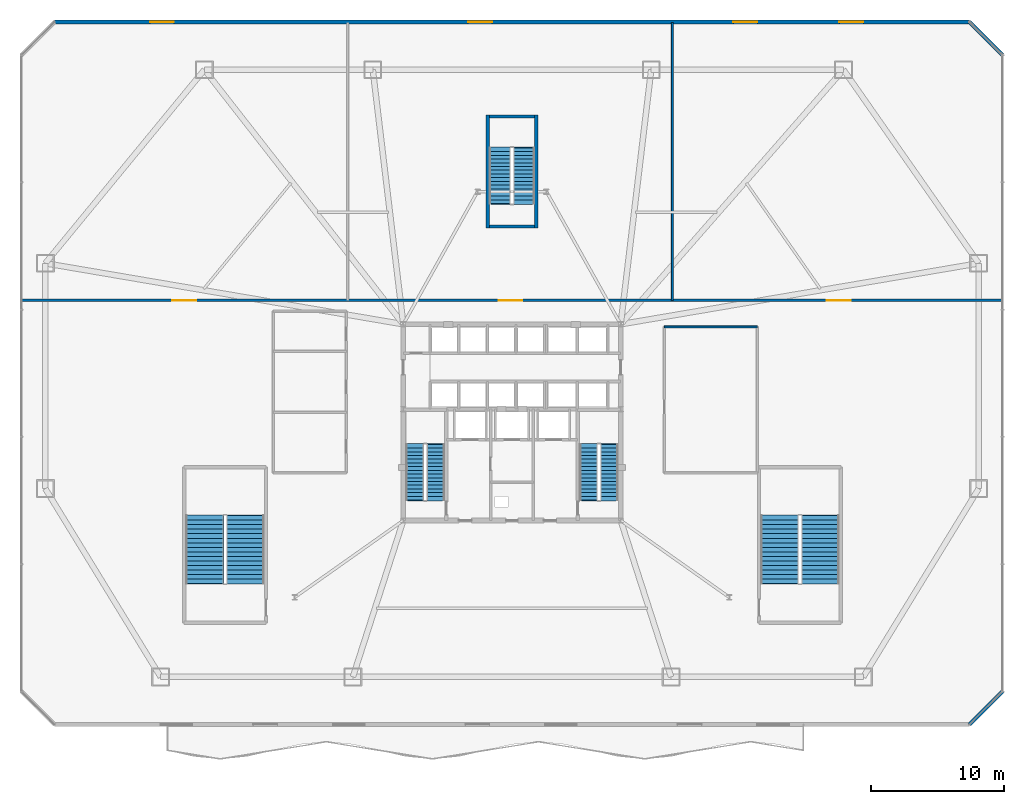
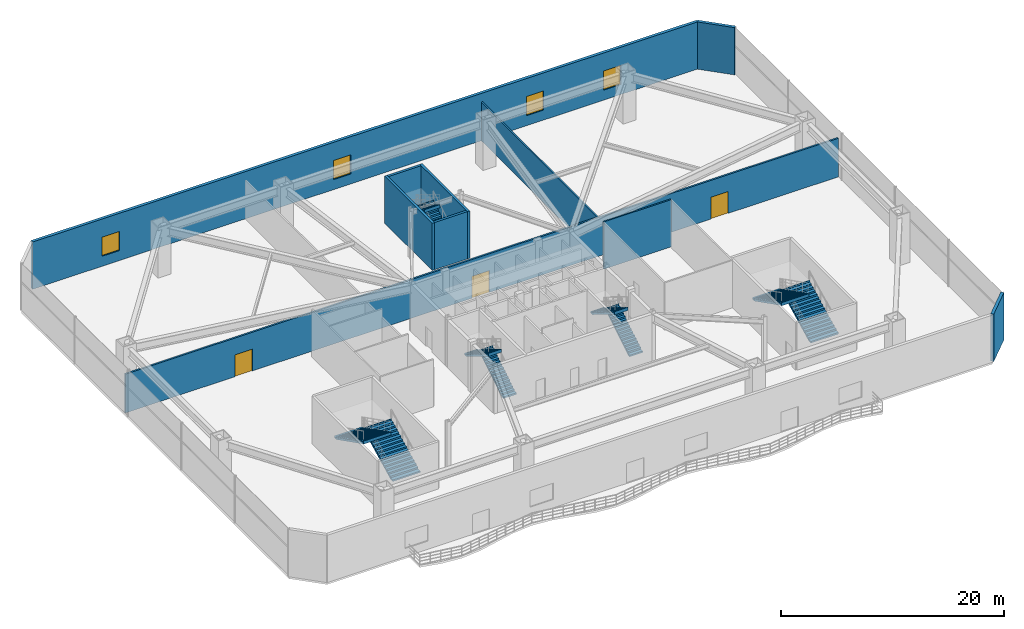
# One storey, part 15 of 20: 10 stair flights, 10 walls, 4 windows, 3 doors, 7 openings, 5 elements without a shape of their own.
"""IFC4 building model written with IfcOpenShell, lengths in metres."""

from ifc_helpers import new_model, si_unit, direction, frame, frame_2d, origin, place, context, subcontext, project, spatial, polyline, rectangle, outline, extrude, material, layer, layer_set, type_object, element, fill, aggregate, save


model = new_model("IFC4")

# Units and contexts
model_context = context("Model", 3, precision=1e-05, world=origin(), true_north=direction((0.0, 1.0)))
body_context = subcontext(model_context, "Body", "Model", "MODEL_VIEW")
ifc_project = project(units=[si_unit("LENGTHUNIT", "METRE"), si_unit("AREAUNIT", "SQUARE_METRE"), si_unit("VOLUMEUNIT", "CUBIC_METRE"), si_unit("PLANEANGLEUNIT", "RADIAN"), si_unit("MASSUNIT", "GRAM", prefix="KILO")], contexts=[model_context])

# Site, building, storey
site_placement = place(None, origin())
site = spatial("IfcSite", under=ifc_project, at=site_placement, CompositionType="ELEMENT")
building_placement = place(site_placement, origin())
building = spatial("IfcBuilding", under=site, at=building_placement, Name="Varakhsha Concourse Tower", CompositionType="ELEMENT")
storey_placement = place(building_placement, frame((0.0, 0.0, 11.0)))
storey = spatial("IfcBuildingStorey", under=building, at=storey_placement, Name="L03", CompositionType="ELEMENT", Elevation=11.0)

# Walls
ifc_material_1 = material(Name="Concrete fc 45 MPa", Category="concrete")
ifc_layer_1 = layer(ifc_material_1, 0.300048828125, Name="WL-EXT-POD-300")
ifc_layer_set_1 = layer_set([ifc_layer_1], Name="Concrete fc 45 MPa")
wall_type_1 = type_object("IfcWallType", Name="WL-EXT-POD-300", PredefinedType="STANDARD", material=ifc_layer_set_1)
for number, where, z_axis, x_axis, name in (
    (1, (74.5, 1.0, 0.0), (0.0, 0.0, 1.0), (0.707106781187, 0.707106781187, 0.0), "L03 Podium Chamfer Wall 1"),
    (2, (77.0, 51.5, 0.0), (0.0, 0.0, 1.0), (-0.707106781187, 0.707106781187, 0.0), "L03 Podium Chamfer Wall 3"),
):
    element("IfcWall", number, at=place(storey_placement, frame(where, z_axis=z_axis, x_axis=x_axis)), inside=storey, type_object=wall_type_1, Name=name, PredefinedType="STANDARD", context=body_context, shape_type="SweptSolid", body=[
        extrude(rectangle(XDim=3.53564453125, YDim=0.300048828125, at=frame_2d((1.767822265625, 0.0))), origin(), (0.0, 0.0, 1.0), 5.179931640625),
    ])

# Wall, openings, windows
wall_1_placement = place(storey_placement, frame((74.5, 54.0, 0.0), z_axis=(0.0, 0.0, 1.0), x_axis=(-1.0, 0.0, 0.0)))
wall_1 = element("IfcWall", 3, at=wall_1_placement, inside=storey, type_object=wall_type_1, Name="L03 North Convention Hall Wall", PredefinedType="STANDARD", context=body_context, shape_type="SweptSolid", body=[
    extrude(rectangle(XDim=69.0, YDim=0.300048828125, at=frame_2d((34.5, 0.0))), origin(), (0.0, 0.0, 1.0), 5.179931640625),
])
opening_1_placement = place(wall_1_placement, frame((8.0, 0.0, 1.10009765625)))
opening_1 = element("IfcOpeningElement", 4, at=opening_1_placement, cuts=wall_1, Name="Opening W-01", PredefinedType="OPENING", context=body_context, shape_type="SweptSolid", body=[
    extrude(rectangle(XDim=1.800048828125, YDim=2.10009765625, at=frame_2d((0.89990234375, 1.050048828125))), frame((0.0, 0.159912109375, 0.0), z_axis=(0.0, -1.0, 0.0), x_axis=(1.0, 0.0, 0.0)), (0.0, 0.0, 1.0), 0.320068359375),
])
opening_2_placement = place(wall_1_placement, frame((16.0, 0.0, 1.10009765625)))
opening_2 = element("IfcOpeningElement", 5, at=opening_2_placement, cuts=wall_1, Name="Opening W-01", PredefinedType="OPENING", context=body_context, shape_type="SweptSolid", body=[
    extrude(rectangle(XDim=1.800048828125, YDim=2.10009765625, at=frame_2d((0.89990234375, 1.050048828125))), frame((0.0, 0.159912109375, 0.0), z_axis=(0.0, -1.0, 0.0), x_axis=(1.0, 0.0, 0.0)), (0.0, 0.0, 1.0), 0.320068359375),
])
opening_3_placement = place(wall_1_placement, frame((36.0, 0.0, 1.10009765625)))
opening_3 = element("IfcOpeningElement", 6, at=opening_3_placement, cuts=wall_1, Name="Opening W-01", PredefinedType="OPENING", context=body_context, shape_type="SweptSolid", body=[
    extrude(rectangle(XDim=1.800048828125, YDim=2.10009765625, at=frame_2d((0.89990234375, 1.050048828125))), frame((0.0, 0.159912109375, 0.0), z_axis=(0.0, -1.0, 0.0), x_axis=(1.0, 0.0, 0.0)), (0.0, 0.0, 1.0), 0.320068359375),
])
opening_4_placement = place(wall_1_placement, frame((60.0, 0.0, 1.10009765625)))
opening_4 = element("IfcOpeningElement", 7, at=opening_4_placement, cuts=wall_1, Name="Opening W-01", PredefinedType="OPENING", context=body_context, shape_type="SweptSolid", body=[
    extrude(rectangle(XDim=1.800048828125, YDim=2.10009765625, at=frame_2d((0.89990234375, 1.050048828125))), frame((0.0, 0.159912109375, 0.0), z_axis=(0.0, -1.0, 0.0), x_axis=(1.0, 0.0, 0.0)), (0.0, 0.0, 1.0), 0.320068359375),
])
ifc_material_2 = material(Name="Low-E Triple Insulating Glass IGU 44 mm", Category="glass")
window_type = type_object("IfcWindowType", Name="WN-PUNCH-1800", PartitioningType="SINGLE_PANEL", PredefinedType="WINDOW", material=ifc_material_2)
window_1_placement = place(opening_1_placement, origin())
window_1 = element("IfcWindow", 8, at=window_1_placement, inside=storey, type_object=window_type, Name="L03 Hall Acoustic Window 1", OverallHeight=2.10009765625, OverallWidth=1.800048828125, PartitioningType="SINGLE_PANEL", PredefinedType="WINDOW", context=body_context, shape_type="SweptSolid", body=[
    extrude(rectangle(XDim=1.800048828125, YDim=2.10009765625, at=frame_2d((0.89990234375, 1.050048828125))), frame((0.0, 0.030029296875, 0.0), z_axis=(0.0, -1.0, 0.0), x_axis=(1.0, 0.0, 0.0)), (0.0, 0.0, 1.0), 0.06005859375),
])
fill(opening_1, window_1)
window_2_placement = place(opening_2_placement, origin())
window_2 = element("IfcWindow", 9, at=window_2_placement, inside=storey, type_object=window_type, Name="L03 Hall Acoustic Window 2", OverallHeight=2.10009765625, OverallWidth=1.800048828125, PartitioningType="SINGLE_PANEL", PredefinedType="WINDOW", context=body_context, shape_type="SweptSolid", body=[
    extrude(rectangle(XDim=1.800048828125, YDim=2.10009765625, at=frame_2d((0.89990234375, 1.050048828125))), frame((0.0, 0.030029296875, 0.0), z_axis=(0.0, -1.0, 0.0), x_axis=(1.0, 0.0, 0.0)), (0.0, 0.0, 1.0), 0.06005859375),
])
fill(opening_2, window_2)
window_3_placement = place(opening_3_placement, origin())
window_3 = element("IfcWindow", 10, at=window_3_placement, inside=storey, type_object=window_type, Name="L03 Hall Acoustic Window 3", OverallHeight=2.10009765625, OverallWidth=1.800048828125, PartitioningType="SINGLE_PANEL", PredefinedType="WINDOW", context=body_context, shape_type="SweptSolid", body=[
    extrude(rectangle(XDim=1.800048828125, YDim=2.10009765625, at=frame_2d((0.89990234375, 1.050048828125))), frame((0.0, 0.030029296875, 0.0), z_axis=(0.0, -1.0, 0.0), x_axis=(1.0, 0.0, 0.0)), (0.0, 0.0, 1.0), 0.06005859375),
])
fill(opening_3, window_3)
window_4_placement = place(opening_4_placement, origin())
window_4 = element("IfcWindow", 11, at=window_4_placement, inside=storey, type_object=window_type, Name="L03 Hall Acoustic Window 4", OverallHeight=2.10009765625, OverallWidth=1.800048828125, PartitioningType="SINGLE_PANEL", PredefinedType="WINDOW", context=body_context, shape_type="SweptSolid", body=[
    extrude(rectangle(XDim=1.800048828125, YDim=2.10009765625, at=frame_2d((0.89990234375, 1.050048828125))), frame((0.0, 0.030029296875, 0.0), z_axis=(0.0, -1.0, 0.0), x_axis=(1.0, 0.0, 0.0)), (0.0, 0.0, 1.0), 0.06005859375),
])
fill(opening_4, window_4)

# Walls
ifc_material_3 = material(Name="Cold-Formed Steel ASTM A653 Grade 50 Acoustic Operable Partition", Category="steel")
ifc_layer_2 = layer(ifc_material_3, 0.14990234375, Name="WL-MOVABLE-150")
ifc_layer_set_2 = layer_set([ifc_layer_2], Name="Cold-Formed Steel ASTM A653 Grade 50 Acoustic Operable Partition")
wall_type_2 = type_object("IfcWallType", Name="WL-MOVABLE-150", PredefinedType="MOVABLE", material=ifc_layer_set_2)
wall_2_placement = place(storey_placement, frame((52.10009765625, 33.0, 0.0), z_axis=(0.0, 0.0, 1.0), x_axis=(0.0, 1.0, 0.0)))
element("IfcWall", 12, at=wall_2_placement, inside=storey, type_object=wall_type_2, Name="L03 Wall L03W-MOV-2", PredefinedType="MOVABLE", context=body_context, shape_type="SweptSolid", body=[
    extrude(rectangle(XDim=20.9599609375, YDim=0.14990234375, at=frame_2d((10.47998046875, 0.0))), origin(), (0.0, 0.0, 1.0), 4.242919921875),
])
ifc_material_4 = material(Name="Fire-Rated Type X Gypsum Partition Assembly", Category="gypsum")
ifc_layer_3 = layer(ifc_material_4, 0.14990234375, Name="WL-PART-150")
ifc_layer_set_3 = layer_set([ifc_layer_3], Name="Fire-Rated Type X Gypsum Partition Assembly")
wall_type_3 = type_object("IfcWallType", Name="WL-PART-150", PredefinedType="PARTITIONING", material=ifc_layer_set_3)
wall_3_placement = place(storey_placement, frame((51.5, 31.0, 0.0), z_axis=(0.0, 0.0, 1.0), x_axis=(1.0, 0.0, 0.0)))
element("IfcWall", 13, at=wall_3_placement, inside=storey, type_object=wall_type_3, Name="L03 Wall L03W-SUPN", PredefinedType="PARTITIONING", context=body_context, shape_type="SweptSolid", body=[
    extrude(rectangle(XDim=7.0, YDim=0.14990234375, at=frame_2d((3.5, 0.0))), origin(), (0.0, 0.0, 1.0), 5.179931640625),
])

# Wall, openings, doors
ifc_layer_4 = layer(ifc_material_4, 0.179931640625, Name="WL-PART-180")
ifc_layer_set_4 = layer_set([ifc_layer_4], Name="Fire-Rated Type X Gypsum Partition Assembly")
wall_type_4 = type_object("IfcWallType", Name="WL-PART-180", PredefinedType="PARTITIONING", material=ifc_layer_set_4)
wall_4_placement = place(storey_placement, frame((3.0400390625, 33.0, 0.0), z_axis=(0.0, 0.0, 1.0), x_axis=(1.0, 0.0, 0.0)))
wall_4 = element("IfcWall", 14, at=wall_4_placement, inside=storey, type_object=wall_type_4, Name="L03 Wall L03W-HALL-S", PredefinedType="PARTITIONING", context=body_context, shape_type="SweptSolid", body=[
    extrude(rectangle(XDim=73.919921875, YDim=0.179931640625, at=frame_2d((36.9599609375, 0.0))), origin(), (0.0, 0.0, 1.0), 4.242919921875),
])
opening_5_placement = place(wall_4_placement, frame((11.35009765625, 0.0, 0.0)))
opening_5 = element("IfcOpeningElement", 15, at=opening_5_placement, cuts=wall_4, Name="Opening DD-01", PredefinedType="OPENING", context=body_context, shape_type="SweptSolid", body=[
    extrude(rectangle(XDim=1.800048828125, YDim=2.39990234375, at=frame_2d((0.89990234375, 1.199951171875))), frame((0.0, 0.099853515625, 0.0), z_axis=(0.0, -1.0, 0.0), x_axis=(1.0, 0.0, 0.0)), (0.0, 0.0, 1.0), 0.199951171875),
])
opening_6_placement = place(wall_4_placement, frame((35.949951171875, 0.0, 0.0)))
opening_6 = element("IfcOpeningElement", 16, at=opening_6_placement, cuts=wall_4, Name="Opening DD-01", PredefinedType="OPENING", context=body_context, shape_type="SweptSolid", body=[
    extrude(rectangle(XDim=1.800048828125, YDim=2.39990234375, at=frame_2d((0.89990234375, 1.199951171875))), frame((0.0, 0.099853515625, 0.0), z_axis=(0.0, -1.0, 0.0), x_axis=(1.0, 0.0, 0.0)), (0.0, 0.0, 1.0), 0.199951171875),
])
opening_7_placement = place(wall_4_placement, frame((60.699951171875, 0.0, 0.0)))
opening_7 = element("IfcOpeningElement", 17, at=opening_7_placement, cuts=wall_4, Name="Opening DD-01", PredefinedType="OPENING", context=body_context, shape_type="SweptSolid", body=[
    extrude(rectangle(XDim=1.800048828125, YDim=2.39990234375, at=frame_2d((0.89990234375, 1.199951171875))), frame((0.0, 0.099853515625, 0.0), z_axis=(0.0, -1.0, 0.0), x_axis=(1.0, 0.0, 0.0)), (0.0, 0.0, 1.0), 0.199951171875),
])
ifc_material_5 = material(Name="Anodised Bronze Architectural Aluminium AA 6063-T6", Category="aluminium")
door_type = type_object("IfcDoorType", Name="DR-DBL-1800", OperationType="DOUBLE_DOOR_SINGLE_SWING", PredefinedType="DOOR", material=ifc_material_5)
door_1_placement = place(opening_5_placement, origin())
door_1 = element("IfcDoor", 18, at=door_1_placement, inside=storey, type_object=door_type, Name="L03 Exhibition Hall West Bay Double Entry Doors", OperationType="DOUBLE_DOOR_SINGLE_SWING", OverallHeight=2.39990234375, OverallWidth=1.800048828125, PredefinedType="DOOR", context=body_context, shape_type="SweptSolid", body=[
    extrude(rectangle(XDim=1.800048828125, YDim=2.39990234375, at=frame_2d((0.89990234375, 1.199951171875))), frame((0.0, 0.02490234375, 0.0), z_axis=(0.0, -1.0, 0.0), x_axis=(1.0, 0.0, 0.0)), (0.0, 0.0, 1.0), 0.050048828125),
])
fill(opening_5, door_1)
door_2_placement = place(opening_6_placement, origin())
door_2 = element("IfcDoor", 19, at=door_2_placement, inside=storey, type_object=door_type, Name="L03 Exhibition Hall Centre Bay Double Entry Doors", OperationType="DOUBLE_DOOR_SINGLE_SWING", OverallHeight=2.39990234375, OverallWidth=1.800048828125, PredefinedType="DOOR", context=body_context, shape_type="SweptSolid", body=[
    extrude(rectangle(XDim=1.800048828125, YDim=2.39990234375, at=frame_2d((0.89990234375, 1.199951171875))), frame((0.0, 0.02490234375, 0.0), z_axis=(0.0, -1.0, 0.0), x_axis=(1.0, 0.0, 0.0)), (0.0, 0.0, 1.0), 0.050048828125),
])
fill(opening_6, door_2)
door_3_placement = place(opening_7_placement, origin())
door_3 = element("IfcDoor", 20, at=door_3_placement, inside=storey, type_object=door_type, Name="L03 Exhibition Hall East Bay Double Entry Doors", OperationType="DOUBLE_DOOR_SINGLE_SWING", OverallHeight=2.39990234375, OverallWidth=1.800048828125, PredefinedType="DOOR", context=body_context, shape_type="SweptSolid", body=[
    extrude(rectangle(XDim=1.800048828125, YDim=2.39990234375, at=frame_2d((0.89990234375, 1.199951171875))), frame((0.0, 0.02490234375, 0.0), z_axis=(0.0, -1.0, 0.0), x_axis=(1.0, 0.0, 0.0)), (0.0, 0.0, 1.0), 0.050048828125),
])
fill(opening_7, door_3)

# Walls
ifc_layer_5 = layer(ifc_material_1, 0.25, Name="WL-STAIR-250")
ifc_layer_set_5 = layer_set([ifc_layer_5], Name="Concrete fc 45 MPa")
wall_type_5 = type_object("IfcWallType", Name="WL-STAIR-250", PredefinedType="SHEAR", material=ifc_layer_set_5)
for number, where, z_axis, x_axis, name in (
    (21, (38.175048828125, 38.449951171875, 0.0), (0.0, 0.0, 1.0), (0.0, 1.0, 0.0), "L03 Wall SWALL-ST5-W-L03"),
    (22, (41.824951171875, 38.449951171875, 0.0), (0.0, 0.0, 1.0), (0.0, 1.0, 0.0), "L03 Wall SWALL-ST5-E-L03"),
):
    element("IfcWall", number, at=place(storey_placement, frame(where, z_axis=z_axis, x_axis=x_axis)), inside=storey, type_object=wall_type_5, Name=name, PredefinedType="SHEAR", context=body_context, shape_type="SweptSolid", body=[
        extrude(rectangle(XDim=8.550048828125, YDim=0.25, at=frame_2d((4.27490234375, 0.0))), origin(), (0.0, 0.0, 1.0), 5.179931640625),
    ])
for number, where, z_axis, x_axis, name in (
    (23, (38.300048828125, 38.574951171875, 0.0), (0.0, 0.0, 1.0), (1.0, 0.0, 0.0), "L03 Wall SWALL-ST5-S-L03"),
    (24, (38.300048828125, 46.875, 0.0), (0.0, 0.0, 1.0), (1.0, 0.0, 0.0), "L03 Wall SWALL-ST5-N-L03"),
):
    element("IfcWall", number, at=place(storey_placement, frame(where, z_axis=z_axis, x_axis=x_axis)), inside=storey, type_object=wall_type_5, Name=name, PredefinedType="SHEAR", context=body_context, shape_type="SweptSolid", body=[
        extrude(rectangle(XDim=3.39990234375, YDim=0.25, at=frame_2d((1.699951171875, 0.0))), origin(), (0.0, 0.0, 1.0), 5.179931640625),
    ])

# Stair, stair flights
stair_type_1 = type_object("IfcStairType", Name="ST-DOGLEG-1360", PredefinedType="HALF_TURN_STAIR", material=ifc_material_1)
stair_1_placement = place(storey_placement, origin())
stair_1 = element("IfcStair", 25, at=stair_1_placement, inside=storey, type_object=stair_type_1, Name="L03 Protected Exit Stair ST1", PredefinedType="HALF_TURN_STAIR")
stair_flight_type_1 = type_object("IfcStairFlightType", Name="STF-1360-R1719", PredefinedType="STRAIGHT", material=ifc_material_1)
stair_flight_1_placement = place(storey_placement, frame((34.239990234375, 17.93994140625, 0.0), z_axis=(0.0, 0.0, 1.0), x_axis=(0.0, 1.0, 0.0)))
stair_flight_1 = element("IfcStairFlight", 26, at=stair_flight_1_placement, type_object=stair_flight_type_1, Name="ST1 flight 1", NumberOfRisers=16, NumberOfTreads=15, PredefinedType="STRAIGHT", RiserHeight=0.171875, TreadLength=0.28, context=body_context, shape_type="SweptSolid", body=[
    extrude(outline(polyline([(-0.06005859375, 0.0), (-0.06005859375, 0.171875), (0.0, 0.171875), (0.280029296875, 0.171875), (0.280029296875, 0.34375), (0.56005859375, 0.34375), (0.56005859375, 0.515625), (0.840087890625, 0.515625), (0.840087890625, 0.6875), (1.1201171875, 0.6875), (1.1201171875, 0.859375), (1.39990234375, 0.859375), (1.39990234375, 1.03125), (1.679931640625, 1.03125), (1.679931640625, 1.203125), (1.9599609375, 1.203125), (1.9599609375, 1.375), (2.239990234375, 1.375), (2.239990234375, 1.546875), (2.52001953125, 1.546875), (2.52001953125, 1.71875), (2.800048828125, 1.71875), (2.800048828125, 1.890625), (3.080078125, 1.890625), (3.080078125, 2.0625), (3.360107421875, 2.0625), (3.360107421875, 2.234375), (3.639892578125, 2.234375), (3.639892578125, 2.40625), (3.919921875, 2.40625), (3.919921875, 2.578125), (4.199951171875, 2.578125), (4.199951171875, 2.75), (4.260009765625, 2.75), (4.260009765625, 2.40234375), (4.199951171875, 2.40234375), (0.28662109375, 0.0), (-0.06005859375, 0.0)])), frame((0.0, 0.68017578125, 0.0), z_axis=(0.0, -1.0, 0.0), x_axis=(1.0, 0.0, 0.0)), (0.0, 0.0, 1.0), 1.360107421875),
])
stair_flight_2_placement = place(storey_placement, frame((32.679931640625, 22.139892578125, 2.75), z_axis=(0.0, 0.0, 1.0), x_axis=(0.0, -1.0, 0.0)))
stair_flight_2 = element("IfcStairFlight", 27, at=stair_flight_2_placement, type_object=stair_flight_type_1, Name="ST1 flight 2", NumberOfRisers=16, NumberOfTreads=15, PredefinedType="STRAIGHT", RiserHeight=0.171875, TreadLength=0.28, context=body_context, shape_type="SweptSolid", body=[
    extrude(outline(polyline([(-0.06005859375, 0.0), (-0.06005859375, 0.171875), (0.0, 0.171875), (0.280029296875, 0.171875), (0.280029296875, 0.34375), (0.56005859375, 0.34375), (0.56005859375, 0.515625), (0.840087890625, 0.515625), (0.840087890625, 0.6875), (1.1201171875, 0.6875), (1.1201171875, 0.859375), (1.39990234375, 0.859375), (1.39990234375, 1.03125), (1.679931640625, 1.03125), (1.679931640625, 1.203125), (1.9599609375, 1.203125), (1.9599609375, 1.375), (2.239990234375, 1.375), (2.239990234375, 1.546875), (2.52001953125, 1.546875), (2.52001953125, 1.71875), (2.800048828125, 1.71875), (2.800048828125, 1.890625), (3.080078125, 1.890625), (3.080078125, 2.0625), (3.360107421875, 2.0625), (3.360107421875, 2.234375), (3.639892578125, 2.234375), (3.639892578125, 2.40625), (3.919921875, 2.40625), (3.919921875, 2.578125), (4.199951171875, 2.578125), (4.199951171875, 2.75), (4.260009765625, 2.75), (4.260009765625, 2.40234375), (4.199951171875, 2.40234375), (0.28662109375, 0.0), (-0.06005859375, 0.0)])), frame((0.0, 0.68017578125, 0.0), z_axis=(0.0, -1.0, 0.0), x_axis=(1.0, 0.0, 0.0)), (0.0, 0.0, 1.0), 1.360107421875),
])
aggregate(stair_1, [stair_flight_1, stair_flight_2])

stair_2_placement = place(storey_placement, origin())
stair_2 = element("IfcStair", 28, at=stair_2_placement, inside=storey, type_object=stair_type_1, Name="L03 Protected Exit Stair ST2", PredefinedType="HALF_TURN_STAIR")
stair_flight_3_placement = place(storey_placement, frame((47.340087890625, 17.93994140625, 0.0), z_axis=(0.0, 0.0, 1.0), x_axis=(0.0, 1.0, 0.0)))
stair_flight_3 = element("IfcStairFlight", 29, at=stair_flight_3_placement, type_object=stair_flight_type_1, Name="ST2 flight 1", NumberOfRisers=16, NumberOfTreads=15, PredefinedType="STRAIGHT", RiserHeight=0.171875, TreadLength=0.28, context=body_context, shape_type="SweptSolid", body=[
    extrude(outline(polyline([(-0.06005859375, 0.0), (-0.06005859375, 0.171875), (0.0, 0.171875), (0.280029296875, 0.171875), (0.280029296875, 0.34375), (0.56005859375, 0.34375), (0.56005859375, 0.515625), (0.840087890625, 0.515625), (0.840087890625, 0.6875), (1.1201171875, 0.6875), (1.1201171875, 0.859375), (1.39990234375, 0.859375), (1.39990234375, 1.03125), (1.679931640625, 1.03125), (1.679931640625, 1.203125), (1.9599609375, 1.203125), (1.9599609375, 1.375), (2.239990234375, 1.375), (2.239990234375, 1.546875), (2.52001953125, 1.546875), (2.52001953125, 1.71875), (2.800048828125, 1.71875), (2.800048828125, 1.890625), (3.080078125, 1.890625), (3.080078125, 2.0625), (3.360107421875, 2.0625), (3.360107421875, 2.234375), (3.639892578125, 2.234375), (3.639892578125, 2.40625), (3.919921875, 2.40625), (3.919921875, 2.578125), (4.199951171875, 2.578125), (4.199951171875, 2.75), (4.260009765625, 2.75), (4.260009765625, 2.40234375), (4.199951171875, 2.40234375), (0.28662109375, 0.0), (-0.06005859375, 0.0)])), frame((0.0, 0.68017578125, 0.0), z_axis=(0.0, -1.0, 0.0), x_axis=(1.0, 0.0, 0.0)), (0.0, 0.0, 1.0), 1.360107421875),
])
stair_flight_4_placement = place(storey_placement, frame((45.780029296875, 22.139892578125, 2.75), z_axis=(0.0, 0.0, 1.0), x_axis=(0.0, -1.0, 0.0)))
stair_flight_4 = element("IfcStairFlight", 30, at=stair_flight_4_placement, type_object=stair_flight_type_1, Name="ST2 flight 2", NumberOfRisers=16, NumberOfTreads=15, PredefinedType="STRAIGHT", RiserHeight=0.171875, TreadLength=0.28, context=body_context, shape_type="SweptSolid", body=[
    extrude(outline(polyline([(-0.06005859375, 0.0), (-0.06005859375, 0.171875), (0.0, 0.171875), (0.280029296875, 0.171875), (0.280029296875, 0.34375), (0.56005859375, 0.34375), (0.56005859375, 0.515625), (0.840087890625, 0.515625), (0.840087890625, 0.6875), (1.1201171875, 0.6875), (1.1201171875, 0.859375), (1.39990234375, 0.859375), (1.39990234375, 1.03125), (1.679931640625, 1.03125), (1.679931640625, 1.203125), (1.9599609375, 1.203125), (1.9599609375, 1.375), (2.239990234375, 1.375), (2.239990234375, 1.546875), (2.52001953125, 1.546875), (2.52001953125, 1.71875), (2.800048828125, 1.71875), (2.800048828125, 1.890625), (3.080078125, 1.890625), (3.080078125, 2.0625), (3.360107421875, 2.0625), (3.360107421875, 2.234375), (3.639892578125, 2.234375), (3.639892578125, 2.40625), (3.919921875, 2.40625), (3.919921875, 2.578125), (4.199951171875, 2.578125), (4.199951171875, 2.75), (4.260009765625, 2.75), (4.260009765625, 2.40234375), (4.199951171875, 2.40234375), (0.28662109375, 0.0), (-0.06005859375, 0.0)])), frame((0.0, 0.68017578125, 0.0), z_axis=(0.0, -1.0, 0.0), x_axis=(1.0, 0.0, 0.0)), (0.0, 0.0, 1.0), 1.360107421875),
])
aggregate(stair_2, [stair_flight_3, stair_flight_4])

stair_type_2 = type_object("IfcStairType", Name="ST-DOGLEG-1600", PredefinedType="HALF_TURN_STAIR", material=ifc_material_1)
stair_3_placement = place(storey_placement, origin())
stair_3 = element("IfcStair", 31, at=stair_3_placement, inside=storey, type_object=stair_type_2, Name="L03 Protected Exit Stair ST5", PredefinedType="HALF_TURN_STAIR")
stair_flight_type_2 = type_object("IfcStairFlightType", Name="STF-1600-R1719", PredefinedType="STRAIGHT", material=ifc_material_1)
stair_flight_5_placement = place(storey_placement, frame((40.89990234375, 40.300048828125, 0.0), z_axis=(0.0, 0.0, 1.0), x_axis=(0.0, 1.0, 0.0)))
stair_flight_5 = element("IfcStairFlight", 32, at=stair_flight_5_placement, type_object=stair_flight_type_2, Name="ST5 flight 1", NumberOfRisers=16, NumberOfTreads=15, PredefinedType="STRAIGHT", RiserHeight=0.171875, TreadLength=0.28, context=body_context, shape_type="SweptSolid", body=[
    extrude(outline(polyline([(-0.06005859375, 0.0), (-0.06005859375, 0.171875), (0.0, 0.171875), (0.280029296875, 0.171875), (0.280029296875, 0.34375), (0.56005859375, 0.34375), (0.56005859375, 0.515625), (0.840087890625, 0.515625), (0.840087890625, 0.6875), (1.1201171875, 0.6875), (1.1201171875, 0.859375), (1.39990234375, 0.859375), (1.39990234375, 1.03125), (1.679931640625, 1.03125), (1.679931640625, 1.203125), (1.9599609375, 1.203125), (1.9599609375, 1.375), (2.239990234375, 1.375), (2.239990234375, 1.546875), (2.52001953125, 1.546875), (2.52001953125, 1.71875), (2.800048828125, 1.71875), (2.800048828125, 1.890625), (3.080078125, 1.890625), (3.080078125, 2.0625), (3.360107421875, 2.0625), (3.360107421875, 2.234375), (3.639892578125, 2.234375), (3.639892578125, 2.40625), (3.919921875, 2.40625), (3.919921875, 2.578125), (4.199951171875, 2.578125), (4.199951171875, 2.75), (4.260009765625, 2.75), (4.260009765625, 2.40234375), (4.199951171875, 2.40234375), (0.28662109375, 0.0), (-0.06005859375, 0.0)])), frame((0.0, 0.800048828125, 0.0), z_axis=(0.0, -1.0, 0.0), x_axis=(1.0, 0.0, 0.0)), (0.0, 0.0, 1.0), 1.60009765625),
])
stair_flight_6_placement = place(storey_placement, frame((39.10009765625, 44.5, 2.75), z_axis=(0.0, 0.0, 1.0), x_axis=(0.0, -1.0, 0.0)))
stair_flight_6 = element("IfcStairFlight", 33, at=stair_flight_6_placement, type_object=stair_flight_type_2, Name="ST5 flight 2", NumberOfRisers=16, NumberOfTreads=15, PredefinedType="STRAIGHT", RiserHeight=0.171875, TreadLength=0.28, context=body_context, shape_type="SweptSolid", body=[
    extrude(outline(polyline([(-0.06005859375, 0.0), (-0.06005859375, 0.171875), (0.0, 0.171875), (0.280029296875, 0.171875), (0.280029296875, 0.34375), (0.56005859375, 0.34375), (0.56005859375, 0.515625), (0.840087890625, 0.515625), (0.840087890625, 0.6875), (1.1201171875, 0.6875), (1.1201171875, 0.859375), (1.39990234375, 0.859375), (1.39990234375, 1.03125), (1.679931640625, 1.03125), (1.679931640625, 1.203125), (1.9599609375, 1.203125), (1.9599609375, 1.375), (2.239990234375, 1.375), (2.239990234375, 1.546875), (2.52001953125, 1.546875), (2.52001953125, 1.71875), (2.800048828125, 1.71875), (2.800048828125, 1.890625), (3.080078125, 1.890625), (3.080078125, 2.0625), (3.360107421875, 2.0625), (3.360107421875, 2.234375), (3.639892578125, 2.234375), (3.639892578125, 2.40625), (3.919921875, 2.40625), (3.919921875, 2.578125), (4.199951171875, 2.578125), (4.199951171875, 2.75), (4.260009765625, 2.75), (4.260009765625, 2.40234375), (4.199951171875, 2.40234375), (0.28662109375, 0.0), (-0.06005859375, 0.0)])), frame((0.0, 0.800048828125, 0.0), z_axis=(0.0, -1.0, 0.0), x_axis=(1.0, 0.0, 0.0)), (0.0, 0.0, 1.0), 1.60009765625),
])
aggregate(stair_3, [stair_flight_5, stair_flight_6])

stair_type_3 = type_object("IfcStairType", Name="ST-DOGLEG-2860", PredefinedType="HALF_TURN_STAIR", material=ifc_material_1)
stair_4_placement = place(storey_placement, origin())
stair_4 = element("IfcStair", 34, at=stair_4_placement, inside=storey, type_object=stair_type_3, Name="L03 Protected Exit Stair ST3", PredefinedType="HALF_TURN_STAIR")
stair_flight_type_3 = type_object("IfcStairFlightType", Name="STF-2860-R1719", PredefinedType="STRAIGHT", material=ifc_material_1)
stair_flight_7_placement = place(storey_placement, frame((19.889892578125, 11.659912109375, 0.0), z_axis=(0.0, 0.0, 1.0), x_axis=(0.0, 1.0, 0.0)))
stair_flight_7 = element("IfcStairFlight", 35, at=stair_flight_7_placement, type_object=stair_flight_type_3, Name="ST3 flight 1", NumberOfRisers=16, NumberOfTreads=15, PredefinedType="STRAIGHT", RiserHeight=0.171875, TreadLength=0.34, context=body_context, shape_type="SweptSolid", body=[
    extrude(outline(polyline([(-0.06005859375, 0.0), (-0.06005859375, 0.171875), (0.0, 0.171875), (0.340087890625, 0.171875), (0.340087890625, 0.34375), (0.679931640625, 0.34375), (0.679931640625, 0.515625), (1.02001953125, 0.515625), (1.02001953125, 0.6875), (1.360107421875, 0.6875), (1.360107421875, 0.859375), (1.699951171875, 0.859375), (1.699951171875, 1.03125), (2.0400390625, 1.03125), (2.0400390625, 1.203125), (2.3798828125, 1.203125), (2.3798828125, 1.375), (2.719970703125, 1.375), (2.719970703125, 1.546875), (3.06005859375, 1.546875), (3.06005859375, 1.71875), (3.39990234375, 1.71875), (3.39990234375, 1.890625), (3.739990234375, 1.890625), (3.739990234375, 2.0625), (4.080078125, 2.0625), (4.080078125, 2.234375), (4.419921875, 2.234375), (4.419921875, 2.40625), (4.760009765625, 2.40625), (4.760009765625, 2.578125), (5.10009765625, 2.578125), (5.10009765625, 2.75), (5.159912109375, 2.75), (5.159912109375, 2.41015625), (5.10009765625, 2.41015625), (0.332275390625, 0.0), (-0.06005859375, 0.0)])), frame((0.0, 1.43017578125, 0.0), z_axis=(0.0, -1.0, 0.0), x_axis=(1.0, 0.0, 0.0)), (0.0, 0.0, 1.0), 2.860107421875),
])
stair_flight_8_placement = place(storey_placement, frame((16.830078125, 16.760009765625, 2.75), z_axis=(0.0, 0.0, 1.0), x_axis=(0.0, -1.0, 0.0)))
stair_flight_8 = element("IfcStairFlight", 36, at=stair_flight_8_placement, type_object=stair_flight_type_3, Name="ST3 flight 2", NumberOfRisers=16, NumberOfTreads=15, PredefinedType="STRAIGHT", RiserHeight=0.171875, TreadLength=0.34, context=body_context, shape_type="SweptSolid", body=[
    extrude(outline(polyline([(-0.06005859375, 0.0), (-0.06005859375, 0.171875), (0.0, 0.171875), (0.340087890625, 0.171875), (0.340087890625, 0.34375), (0.679931640625, 0.34375), (0.679931640625, 0.515625), (1.02001953125, 0.515625), (1.02001953125, 0.6875), (1.360107421875, 0.6875), (1.360107421875, 0.859375), (1.699951171875, 0.859375), (1.699951171875, 1.03125), (2.0400390625, 1.03125), (2.0400390625, 1.203125), (2.3798828125, 1.203125), (2.3798828125, 1.375), (2.719970703125, 1.375), (2.719970703125, 1.546875), (3.06005859375, 1.546875), (3.06005859375, 1.71875), (3.39990234375, 1.71875), (3.39990234375, 1.890625), (3.739990234375, 1.890625), (3.739990234375, 2.0625), (4.080078125, 2.0625), (4.080078125, 2.234375), (4.419921875, 2.234375), (4.419921875, 2.40625), (4.760009765625, 2.40625), (4.760009765625, 2.578125), (5.10009765625, 2.578125), (5.10009765625, 2.75), (5.159912109375, 2.75), (5.159912109375, 2.41015625), (5.10009765625, 2.41015625), (0.332275390625, 0.0), (-0.06005859375, 0.0)])), frame((0.0, 1.43017578125, 0.0), z_axis=(0.0, -1.0, 0.0), x_axis=(1.0, 0.0, 0.0)), (0.0, 0.0, 1.0), 2.860107421875),
])
aggregate(stair_4, [stair_flight_7, stair_flight_8])

stair_5_placement = place(storey_placement, origin())
stair_5 = element("IfcStair", 37, at=stair_5_placement, inside=storey, type_object=stair_type_3, Name="L03 Protected Exit Stair ST4", PredefinedType="HALF_TURN_STAIR")
stair_flight_9_placement = place(storey_placement, frame((63.25, 11.659912109375, 0.0), z_axis=(0.0, 0.0, 1.0), x_axis=(0.0, 1.0, 0.0)))
stair_flight_9 = element("IfcStairFlight", 38, at=stair_flight_9_placement, type_object=stair_flight_type_3, Name="ST4 flight 1", NumberOfRisers=16, NumberOfTreads=15, PredefinedType="STRAIGHT", RiserHeight=0.171875, TreadLength=0.34, context=body_context, shape_type="SweptSolid", body=[
    extrude(outline(polyline([(-0.06005859375, 0.0), (-0.06005859375, 0.171875), (0.0, 0.171875), (0.340087890625, 0.171875), (0.340087890625, 0.34375), (0.679931640625, 0.34375), (0.679931640625, 0.515625), (1.02001953125, 0.515625), (1.02001953125, 0.6875), (1.360107421875, 0.6875), (1.360107421875, 0.859375), (1.699951171875, 0.859375), (1.699951171875, 1.03125), (2.0400390625, 1.03125), (2.0400390625, 1.203125), (2.3798828125, 1.203125), (2.3798828125, 1.375), (2.719970703125, 1.375), (2.719970703125, 1.546875), (3.06005859375, 1.546875), (3.06005859375, 1.71875), (3.39990234375, 1.71875), (3.39990234375, 1.890625), (3.739990234375, 1.890625), (3.739990234375, 2.0625), (4.080078125, 2.0625), (4.080078125, 2.234375), (4.419921875, 2.234375), (4.419921875, 2.40625), (4.760009765625, 2.40625), (4.760009765625, 2.578125), (5.10009765625, 2.578125), (5.10009765625, 2.75), (5.159912109375, 2.75), (5.159912109375, 2.41015625), (5.10009765625, 2.41015625), (0.332275390625, 0.0), (-0.06005859375, 0.0)])), frame((0.0, 1.43017578125, 0.0), z_axis=(0.0, -1.0, 0.0), x_axis=(1.0, 0.0, 0.0)), (0.0, 0.0, 1.0), 2.860107421875),
])
stair_flight_10_placement = place(storey_placement, frame((60.18994140625, 16.760009765625, 2.75), z_axis=(0.0, 0.0, 1.0), x_axis=(0.0, -1.0, 0.0)))
stair_flight_10 = element("IfcStairFlight", 39, at=stair_flight_10_placement, type_object=stair_flight_type_3, Name="ST4 flight 2", NumberOfRisers=16, NumberOfTreads=15, PredefinedType="STRAIGHT", RiserHeight=0.171875, TreadLength=0.34, context=body_context, shape_type="SweptSolid", body=[
    extrude(outline(polyline([(-0.06005859375, 0.0), (-0.06005859375, 0.171875), (0.0, 0.171875), (0.340087890625, 0.171875), (0.340087890625, 0.34375), (0.679931640625, 0.34375), (0.679931640625, 0.515625), (1.02001953125, 0.515625), (1.02001953125, 0.6875), (1.360107421875, 0.6875), (1.360107421875, 0.859375), (1.699951171875, 0.859375), (1.699951171875, 1.03125), (2.0400390625, 1.03125), (2.0400390625, 1.203125), (2.3798828125, 1.203125), (2.3798828125, 1.375), (2.719970703125, 1.375), (2.719970703125, 1.546875), (3.06005859375, 1.546875), (3.06005859375, 1.71875), (3.39990234375, 1.71875), (3.39990234375, 1.890625), (3.739990234375, 1.890625), (3.739990234375, 2.0625), (4.080078125, 2.0625), (4.080078125, 2.234375), (4.419921875, 2.234375), (4.419921875, 2.40625), (4.760009765625, 2.40625), (4.760009765625, 2.578125), (5.10009765625, 2.578125), (5.10009765625, 2.75), (5.159912109375, 2.75), (5.159912109375, 2.41015625), (5.10009765625, 2.41015625), (0.332275390625, 0.0), (-0.06005859375, 0.0)])), frame((0.0, 1.43017578125, 0.0), z_axis=(0.0, -1.0, 0.0), x_axis=(1.0, 0.0, 0.0)), (0.0, 0.0, 1.0), 2.860107421875),
])
aggregate(stair_5, [stair_flight_9, stair_flight_10])

save(model, "model.ifc")
